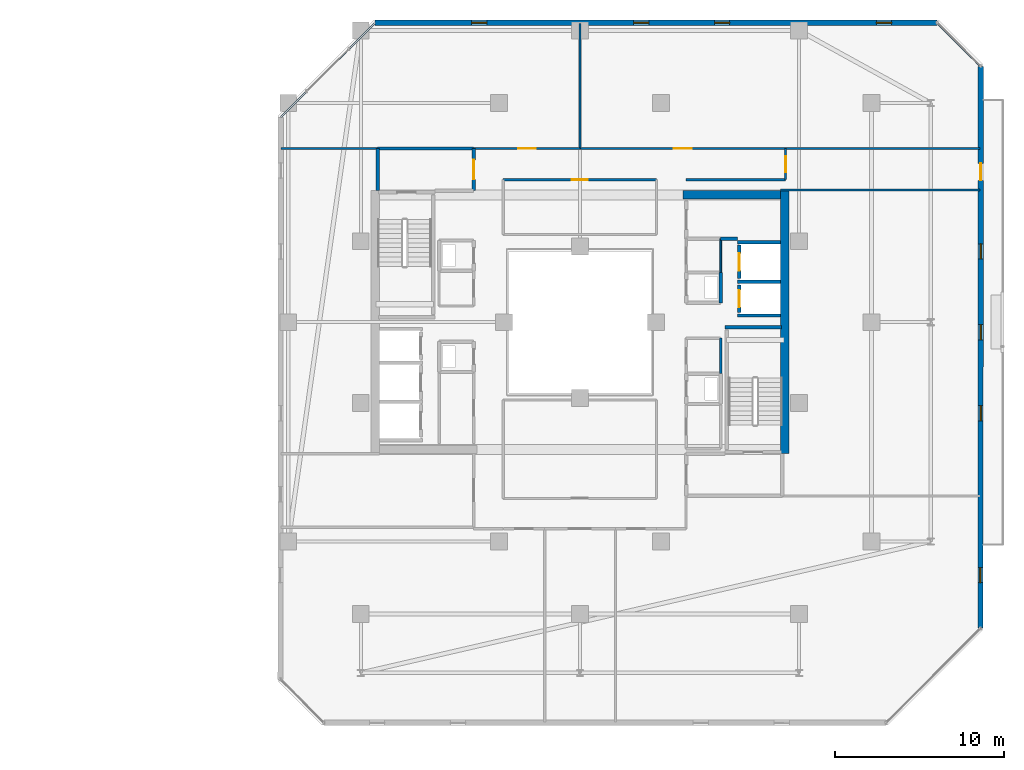
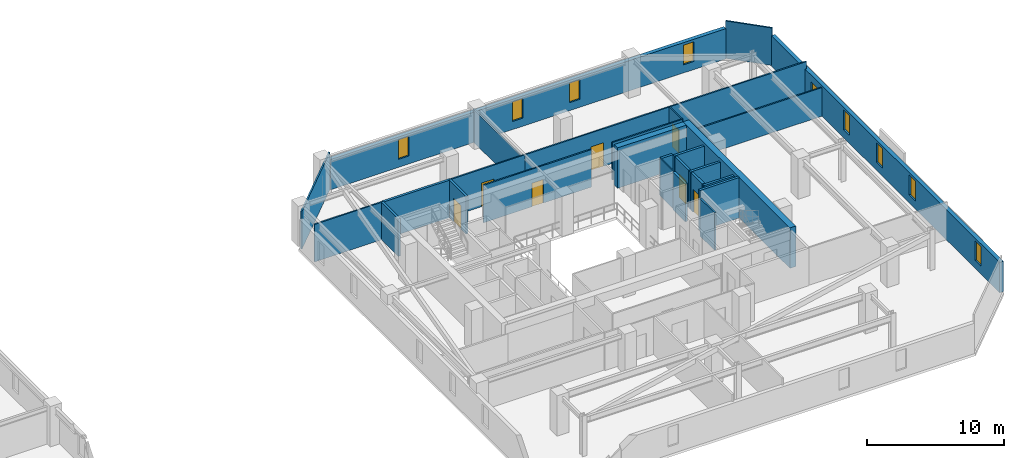
# One storey, part 24 of 31: 28 walls, 8 doors, 8 windows, 16 openings.
"""IFC4 building model written with IfcOpenShell, lengths in metres."""

from ifc_helpers import new_model, si_unit, direction, frame, frame_2d, origin, place, context, subcontext, project, spatial, rectangle, extrude, material, layer, layer_set, type_object, element, fill, save


model = new_model("IFC4")

# Units and contexts
model_context = context("Model", 3, precision=1e-05, world=origin(), true_north=direction((0.0, 1.0)))
body_context = subcontext(model_context, "Body", "Model", "MODEL_VIEW")
ifc_project = project(units=[si_unit("LENGTHUNIT", "METRE"), si_unit("AREAUNIT", "SQUARE_METRE"), si_unit("VOLUMEUNIT", "CUBIC_METRE"), si_unit("PLANEANGLEUNIT", "RADIAN"), si_unit("MASSUNIT", "GRAM", prefix="KILO")], contexts=[model_context])

# Site, building, storey
site_placement = place(None, origin())
site = spatial("IfcSite", under=ifc_project, at=site_placement, CompositionType="ELEMENT")
building_placement = place(site_placement, origin())
building = spatial("IfcBuilding", under=site, at=building_placement, Name="Thornwick Lancets Civic Towers", CompositionType="ELEMENT")
storey_placement = place(building_placement, frame((0.0, 0.0, 236.699951171875)))
storey = spatial("IfcBuildingStorey", under=building, at=storey_placement, Name="L63", CompositionType="ELEMENT", Elevation=236.699951171875)

# Wall, opening, door
ifc_material_1 = material(Name="Concrete blockwork C40/50", Category="masonry")
ifc_layer_1 = layer(ifc_material_1, 0.199951171875, Name="Concrete blockwork C40/50")
ifc_layer_set_1 = layer_set([ifc_layer_1], Name="Concrete blockwork C40/50")
wall_type_1 = type_object("IfcWallType", Name="WALL_COMP_200", PredefinedType="STANDARD", material=ifc_layer_set_1)
wall_1_placement = place(storey_placement, frame((97.949951171875, 29.219970703125, 0.0), z_axis=(0.0, 0.0, 1.0), x_axis=(0.0, -1.0, 0.0)))
wall_1 = element("IfcWall", 1, at=wall_1_placement, inside=storey, type_object=wall_type_1, Name="L63 Hoistway Front Wall FL-B1", PredefinedType="STANDARD", context=body_context, shape_type="SweptSolid", body=[
    extrude(rectangle(XDim=1.639892578125, YDim=0.199951171875, at=frame_2d((0.81982421875, 0.0))), origin(), (0.0, 0.0, 1.0), 3.340087890625),
])
opening_1_placement = place(wall_1_placement, frame((0.31005859375, 0.0, 0.0)))
opening_1 = element("IfcOpeningElement", 2, at=opening_1_placement, cuts=wall_1, Name="Opening LD-FL-B1", PredefinedType="OPENING", context=body_context, shape_type="SweptSolid", body=[
    extrude(rectangle(XDim=1.02001953125, YDim=2.06005859375, at=frame_2d((0.510009765625, 1.030029296875))), frame((0.0, 0.10986328125, 0.0), z_axis=(0.0, -1.0, 0.0), x_axis=(1.0, 0.0, 0.0)), (0.0, 0.0, 1.0), 0.219970703125),
])
ifc_material_2 = material(Name="Brushed bronze stainless steel", Category="steel")
door_type_1 = type_object("IfcDoorType", Name="DOOR_LIFT_SLIDE", OperationType="SLIDING_TO_LEFT", PredefinedType="DOOR", material=ifc_material_2)
door_1_placement = place(opening_1_placement, origin())
door_1 = element("IfcDoor", 3, at=door_1_placement, inside=storey, type_object=door_type_1, Name="L63 Sliding Lift Landing Door LD-FL-B1", OperationType="SLIDING_TO_LEFT", OverallHeight=2.06005859375, OverallWidth=1.02001953125, PredefinedType="DOOR", context=body_context, shape_type="SweptSolid", body=[
    extrude(rectangle(XDim=1.02001953125, YDim=2.06005859375, at=frame_2d((0.510009765625, 1.030029296875))), frame((0.0, 0.02490234375, 0.0), z_axis=(0.0, -1.0, 0.0), x_axis=(1.0, 0.0, 0.0)), (0.0, 0.0, 1.0), 0.050048828125),
])
fill(opening_1, door_1)

wall_2_placement = place(storey_placement, frame((97.949951171875, 31.570068359375, 0.0), z_axis=(0.0, 0.0, 1.0), x_axis=(0.0, -1.0, 0.0)))
wall_2 = element("IfcWall", 4, at=wall_2_placement, inside=storey, type_object=wall_type_1, Name="L63 Hoistway Front Wall PL-BH1", PredefinedType="STANDARD", context=body_context, shape_type="SweptSolid", body=[
    extrude(rectangle(XDim=1.989990234375, YDim=0.199951171875, at=frame_2d((0.9951171875, 0.0))), origin(), (0.0, 0.0, 1.0), 3.340087890625),
])
opening_2_placement = place(wall_2_placement, frame((0.485107421875, 0.0, 0.0)))
opening_2 = element("IfcOpeningElement", 5, at=opening_2_placement, cuts=wall_2, Name="Opening LD-PL-BH1", PredefinedType="OPENING", context=body_context, shape_type="SweptSolid", body=[
    extrude(rectangle(XDim=1.02001953125, YDim=2.06005859375, at=frame_2d((0.510009765625, 1.030029296875))), frame((0.0, 0.10986328125, 0.0), z_axis=(0.0, -1.0, 0.0), x_axis=(1.0, 0.0, 0.0)), (0.0, 0.0, 1.0), 0.219970703125),
])
door_2_placement = place(opening_2_placement, origin())
door_2 = element("IfcDoor", 6, at=door_2_placement, inside=storey, type_object=door_type_1, Name="L63 Sliding Lift Landing Door LD-PL-BH1", OperationType="SLIDING_TO_LEFT", OverallHeight=2.06005859375, OverallWidth=1.02001953125, PredefinedType="DOOR", context=body_context, shape_type="SweptSolid", body=[
    extrude(rectangle(XDim=1.02001953125, YDim=2.06005859375, at=frame_2d((0.510009765625, 1.030029296875))), frame((0.0, 0.02490234375, 0.0), z_axis=(0.0, -1.0, 0.0), x_axis=(1.0, 0.0, 0.0)), (0.0, 0.0, 1.0), 0.050048828125),
])
fill(opening_2, door_2)

# Walls
for number, where, z_axis, x_axis, name in (
    (7, (97.85205078125, 29.39990234375, 0.0), (0.0, 0.0, 1.0), (1.0, 0.0, 0.0), "L63 Hoistway Shaft Wall FL-B1 N"),
    (8, (97.85205078125, 27.39990234375, 0.0), (0.0, 0.0, 1.0), (1.0, 0.0, 0.0), "L63 Hoistway Shaft Wall FL-B1 S"),
    (9, (97.85205078125, 31.75, 0.0), (0.0, 0.0, 1.0), (1.0, 0.0, 0.0), "L63 Hoistway Shaft Wall PL-BH1 N"),
):
    element("IfcWall", number, at=place(storey_placement, frame(where, z_axis=z_axis, x_axis=x_axis)), inside=storey, type_object=wall_type_1, Name=name, PredefinedType="STANDARD", context=body_context, shape_type="SweptSolid", body=[
        extrude(rectangle(XDim=2.535888671875, YDim=0.199951171875, at=frame_2d((1.26806640625, 0.0))), origin(), (0.0, 0.0, 1.0), 3.340087890625),
    ])

# Wall, opening, door
wall_3_placement = place(storey_placement, frame((82.199951171875, 34.800048828125, 0.0), z_axis=(0.0, 0.0, 1.0), x_axis=(0.0, 1.0, 0.0)))
wall_3 = element("IfcWall", 10, at=wall_3_placement, inside=storey, type_object=wall_type_1, Name="L63 Partition L63-B-FFLOB2 E2", PredefinedType="STANDARD", context=body_context, shape_type="SweptSolid", body=[
    extrude(rectangle(XDim=2.5, YDim=0.199951171875, at=frame_2d((1.25, 0.0))), origin(), (0.0, 0.0, 1.0), 3.340087890625),
])
opening_3_placement = place(wall_3_placement, frame((0.675048828125, 0.0, 0.0)))
opening_3 = element("IfcOpeningElement", 11, at=opening_3_placement, cuts=wall_3, Name="Opening D-L63-2840", PredefinedType="OPENING", context=body_context, shape_type="SweptSolid", body=[
    extrude(rectangle(XDim=1.14990234375, YDim=2.10009765625, at=frame_2d((0.574951171875, 1.050048828125))), frame((0.0, 0.10986328125, 0.0), z_axis=(0.0, -1.0, 0.0), x_axis=(1.0, 0.0, 0.0)), (0.0, 0.0, 1.0), 0.219970703125),
])
ifc_material_3 = material(Name="Glazed fire-resisting steel", Category="steel")
door_type_2 = type_object("IfcDoorType", Name="DOOR_LOBBY_FD60", OperationType="NOTDEFINED", PredefinedType="DOOR", material=ifc_material_3)
door_3_placement = place(opening_3_placement, origin())
door_3 = element("IfcDoor", 12, at=door_3_placement, inside=storey, type_object=door_type_2, Name="L63 West Firefighting Lobby 2 Door", OperationType="SINGLE_SWING_LEFT", OverallHeight=2.10009765625, OverallWidth=1.14990234375, PredefinedType="DOOR", context=body_context, shape_type="SweptSolid", body=[
    extrude(rectangle(XDim=1.14990234375, YDim=2.10009765625, at=frame_2d((0.574951171875, 1.050048828125))), frame((0.0, 0.02490234375, 0.0), z_axis=(0.0, -1.0, 0.0), x_axis=(1.0, 0.0, 0.0)), (0.0, 0.0, 1.0), 0.050048828125),
])
fill(opening_3, door_3)

# Walls
wall_4_placement = place(storey_placement, frame((82.199951171875, 37.300048828125, 0.0), z_axis=(0.0, 0.0, 1.0), x_axis=(-1.0, 0.0, 0.0)))
element("IfcWall", 13, at=wall_4_placement, inside=storey, type_object=wall_type_1, Name="L63 Partition L63-B-FFLOB2 E3", PredefinedType="STANDARD", context=body_context, shape_type="SweptSolid", body=[
    extrude(rectangle(XDim=5.699951171875, YDim=0.199951171875, at=frame_2d((2.85009765625, 0.0))), origin(), (0.0, 0.0, 1.0), 3.340087890625),
])
wall_5_placement = place(storey_placement, frame((76.5, 37.300048828125, 0.0), z_axis=(0.0, 0.0, 1.0), x_axis=(0.0, -1.0, 0.0)))
element("IfcWall", 14, at=wall_5_placement, inside=storey, type_object=wall_type_1, Name="L63 Partition L63-B-FFLOB2 E4", PredefinedType="STANDARD", context=body_context, shape_type="SweptSolid", body=[
    extrude(rectangle(XDim=2.5, YDim=0.199951171875, at=frame_2d((1.25, 0.0))), origin(), (0.0, 0.0, 1.0), 3.340087890625),
])
wall_6_placement = place(storey_placement, frame((96.85009765625, 28.14990234375, 0.0), z_axis=(0.0, 0.0, 1.0), x_axis=(0.0, 1.0, 0.0)))
element("IfcWall", 15, at=wall_6_placement, inside=storey, type_object=wall_type_1, Name="L63 Partition L63-B-DUCT1 E2", PredefinedType="STANDARD", context=body_context, shape_type="SweptSolid", body=[
    extrude(rectangle(XDim=1.800048828125, YDim=0.199951171875, at=frame_2d((0.89990234375, 0.0))), origin(), (0.0, 0.0, 1.0), 3.340087890625),
])
wall_7_placement = place(storey_placement, frame((97.85205078125, 31.949951171875, 0.0), z_axis=(0.0, 0.0, 1.0), x_axis=(-1.0, 0.0, 0.0)))
element("IfcWall", 16, at=wall_7_placement, inside=storey, type_object=wall_type_1, Name="L63 Partition L63-B-ITR2 E4", PredefinedType="STANDARD", context=body_context, shape_type="SweptSolid", body=[
    extrude(rectangle(XDim=1.001953125, YDim=0.199951171875, at=frame_2d((0.5009765625, 0.0))), origin(), (0.0, 0.0, 1.0), 3.340087890625),
])
ifc_material_4 = material(Name="Concrete C50/60", Category="concrete")
ifc_layer_2 = layer(ifc_material_4, 0.5, Name="Concrete C50/60")
ifc_layer_set_2 = layer_set([ifc_layer_2], Name="Concrete C50/60")
wall_type_2 = type_object("IfcWallType", Name="WALL_CORE_500", PredefinedType="SHEAR", material=ifc_layer_set_2)
wall_8_placement = place(storey_placement, frame((100.64990234375, 19.199951171875, 0.0), z_axis=(0.0, 0.0, 1.0), x_axis=(0.0, 1.0, 0.0)))
element("IfcWall", 17, at=wall_8_placement, inside=storey, type_object=wall_type_2, Name="L63 Split Core B1 Shear Wall E", PredefinedType="SHEAR", context=body_context, shape_type="SweptSolid", body=[
    extrude(rectangle(XDim=15.60009765625, YDim=0.5, at=frame_2d((7.800048828125, 0.0))), origin(), (0.0, 0.0, 1.0), 3.60009765625),
])
wall_9_placement = place(storey_placement, frame((94.60009765625, 34.550048828125, 0.0), z_axis=(0.0, 0.0, 1.0), x_axis=(1.0, 0.0, 0.0)))
element("IfcWall", 18, at=wall_9_placement, inside=storey, type_object=wall_type_2, Name="L63 Split Core B1 Shear Wall N", PredefinedType="SHEAR", context=body_context, shape_type="SweptSolid", body=[
    extrude(rectangle(XDim=5.7998046875, YDim=0.5, at=frame_2d((2.89990234375, 0.0))), origin(), (0.0, 0.0, 1.0), 3.60009765625),
])

# Wall, openings, door, windows
ifc_material_5 = material(Name="Insulated buff terracotta rainscreen on concrete C40/50", Category="masonry")
ifc_layer_3 = layer(ifc_material_5, 0.320068359375, Name="Insulated buff terracotta rainscreen on concrete C40/50")
ifc_layer_set_3 = layer_set([ifc_layer_3], Name="Insulated buff terracotta rainscreen on concrete C40/50")
wall_type_3 = type_object("IfcWallType", Name="WALL_EXT_TERRA_320", PredefinedType="STANDARD", material=ifc_layer_set_3)
wall_10_placement = place(storey_placement, frame((112.254638671875, 8.85205078125, 0.0), z_axis=(0.0, 0.0, 1.0), x_axis=(0.000300328883, 0.999999954901, 0.0)))
wall_10 = element("IfcWall", 19, at=wall_10_placement, inside=storey, type_object=wall_type_3, Name="L63 Tower B Terracotta Facade Wall E2", PredefinedType="STANDARD", context=body_context, shape_type="SweptSolid", body=[
    extrude(rectangle(XDim=33.329345703125, YDim=0.320068359375, at=frame_2d((16.66455078125, 0.0))), origin(), (0.0, 0.0, 1.0), 2.699951171875),
])
opening_4_placement = place(wall_10_placement, frame((26.564697265625, 0.0, 0.0)))
opening_4 = element("IfcOpeningElement", 20, at=opening_4_placement, cuts=wall_10, Name="Opening D-BL-L63-BE", PredefinedType="OPENING", context=body_context, shape_type="SweptSolid", body=[
    extrude(rectangle(XDim=1.0, YDim=2.080078125, at=frame_2d((0.5, 1.0400390625))), frame((0.0, 0.169921875, 0.0), z_axis=(0.0, -1.0, 0.0), x_axis=(1.0, 0.0, 0.0)), (0.0, 0.0, 1.0), 0.340087890625),
])
opening_5_placement = place(wall_10_placement, frame((2.699951171875, 0.0, 0.719970703125)))
opening_5 = element("IfcOpeningElement", 21, at=opening_5_placement, cuts=wall_10, Name="Opening WL-01", PredefinedType="OPENING", context=body_context, shape_type="SweptSolid", body=[
    extrude(rectangle(XDim=0.89990234375, YDim=1.75, at=frame_2d((0.449951171875, 0.875))), frame((0.0, 0.169921875, 0.0), z_axis=(0.0, -1.0, 0.0), x_axis=(1.0, 0.0, 0.0)), (0.0, 0.0, 1.0), 0.340087890625),
])
opening_6_placement = place(wall_10_placement, frame((12.300048828125, 0.0, 0.719970703125)))
opening_6 = element("IfcOpeningElement", 22, at=opening_6_placement, cuts=wall_10, Name="Opening WL-01", PredefinedType="OPENING", context=body_context, shape_type="SweptSolid", body=[
    extrude(rectangle(XDim=0.89990234375, YDim=1.75, at=frame_2d((0.449951171875, 0.875))), frame((0.0, 0.169921875, 0.0), z_axis=(0.0, -1.0, 0.0), x_axis=(1.0, 0.0, 0.0)), (0.0, 0.0, 1.0), 0.340087890625),
])
opening_7_placement = place(wall_10_placement, frame((17.10009765625, 0.0, 0.719970703125)))
opening_7 = element("IfcOpeningElement", 23, at=opening_7_placement, cuts=wall_10, Name="Opening WL-01", PredefinedType="OPENING", context=body_context, shape_type="SweptSolid", body=[
    extrude(rectangle(XDim=0.89990234375, YDim=1.75, at=frame_2d((0.449951171875, 0.875))), frame((0.0, 0.169921875, 0.0), z_axis=(0.0, -1.0, 0.0), x_axis=(1.0, 0.0, 0.0)), (0.0, 0.0, 1.0), 0.340087890625),
])
opening_8_placement = place(wall_10_placement, frame((21.89990234375, 0.0, 0.719970703125)))
opening_8 = element("IfcOpeningElement", 24, at=opening_8_placement, cuts=wall_10, Name="Opening WL-01", PredefinedType="OPENING", context=body_context, shape_type="SweptSolid", body=[
    extrude(rectangle(XDim=0.89990234375, YDim=1.75, at=frame_2d((0.449951171875, 0.875))), frame((0.0, 0.169921875, 0.0), z_axis=(0.0, -1.0, 0.0), x_axis=(1.0, 0.0, 0.0)), (0.0, 0.0, 1.0), 0.340087890625),
])
ifc_material_6 = material(Name="Thermally broken glazed loggia doorset")
door_type_3 = type_object("IfcDoorType", Name="DOOR_BALC_1000", OperationType="NOTDEFINED", PredefinedType="DOOR", material=ifc_material_6)
door_4_placement = place(opening_4_placement, origin())
door_4 = element("IfcDoor", 25, at=door_4_placement, inside=storey, type_object=door_type_3, Name="L63 Tower B Loggia Balcony Door E", OperationType="SINGLE_SWING_RIGHT", OverallHeight=2.080078125, OverallWidth=1.0, PredefinedType="DOOR", context=body_context, shape_type="SweptSolid", body=[
    extrude(rectangle(XDim=1.0, YDim=2.080078125, at=frame_2d((0.5, 1.0400390625))), frame((0.0, 0.02490234375, 0.0), z_axis=(0.0, -1.0, 0.0), x_axis=(1.0, 0.0, 0.0)), (0.0, 0.0, 1.0), 0.050048828125),
])
fill(opening_4, door_4)
ifc_material_7 = material(Name="Clear low-e double glazing in bronze frame", Category="glass")
window_type = type_object("IfcWindowType", Name="WIN_LANCET_900", PartitioningType="SINGLE_PANEL", PredefinedType="WINDOW", material=ifc_material_7)
window_1_placement = place(opening_5_placement, origin())
window_1 = element("IfcWindow", 26, at=window_1_placement, inside=storey, type_object=window_type, Name="L63 Tower B Staggered Lancet Window E2-1", OverallHeight=1.75, OverallWidth=0.89990234375, PartitioningType="SINGLE_PANEL", PredefinedType="WINDOW", context=body_context, shape_type="SweptSolid", body=[
    extrude(rectangle(XDim=0.89990234375, YDim=1.75, at=frame_2d((0.449951171875, 0.875))), frame((0.0, 0.030029296875, 0.0), z_axis=(0.0, -1.0, 0.0), x_axis=(1.0, 0.0, 0.0)), (0.0, 0.0, 1.0), 0.06005859375),
])
fill(opening_5, window_1)
window_2_placement = place(opening_6_placement, origin())
window_2 = element("IfcWindow", 27, at=window_2_placement, inside=storey, type_object=window_type, Name="L63 Tower B Staggered Lancet Window E2-2", OverallHeight=1.75, OverallWidth=0.89990234375, PartitioningType="SINGLE_PANEL", PredefinedType="WINDOW", context=body_context, shape_type="SweptSolid", body=[
    extrude(rectangle(XDim=0.89990234375, YDim=1.75, at=frame_2d((0.449951171875, 0.875))), frame((0.0, 0.030029296875, 0.0), z_axis=(0.0, -1.0, 0.0), x_axis=(1.0, 0.0, 0.0)), (0.0, 0.0, 1.0), 0.06005859375),
])
fill(opening_6, window_2)
window_3_placement = place(opening_7_placement, origin())
window_3 = element("IfcWindow", 28, at=window_3_placement, inside=storey, type_object=window_type, Name="L63 Tower B Staggered Lancet Window E2-3", OverallHeight=1.75, OverallWidth=0.89990234375, PartitioningType="SINGLE_PANEL", PredefinedType="WINDOW", context=body_context, shape_type="SweptSolid", body=[
    extrude(rectangle(XDim=0.89990234375, YDim=1.75, at=frame_2d((0.449951171875, 0.875))), frame((0.0, 0.030029296875, 0.0), z_axis=(0.0, -1.0, 0.0), x_axis=(1.0, 0.0, 0.0)), (0.0, 0.0, 1.0), 0.06005859375),
])
fill(opening_7, window_3)
window_4_placement = place(opening_8_placement, origin())
window_4 = element("IfcWindow", 29, at=window_4_placement, inside=storey, type_object=window_type, Name="L63 Tower B Staggered Lancet Window E2-4", OverallHeight=1.75, OverallWidth=0.89990234375, PartitioningType="SINGLE_PANEL", PredefinedType="WINDOW", context=body_context, shape_type="SweptSolid", body=[
    extrude(rectangle(XDim=0.89990234375, YDim=1.75, at=frame_2d((0.449951171875, 0.875))), frame((0.0, 0.030029296875, 0.0), z_axis=(0.0, -1.0, 0.0), x_axis=(1.0, 0.0, 0.0)), (0.0, 0.0, 1.0), 0.06005859375),
])
fill(opening_8, window_4)

# Wall, openings, windows
wall_11_placement = place(storey_placement, frame((109.681396484375, 44.7646484375, 0.0), z_axis=(0.0, 0.0, 1.0), x_axis=(-0.999999954901, -0.000300328883, 0.0)))
wall_11 = element("IfcWall", 30, at=wall_11_placement, inside=storey, type_object=wall_type_3, Name="L63 Tower B Terracotta Facade Wall E4", PredefinedType="STANDARD", context=body_context, shape_type="SweptSolid", body=[
    extrude(rectangle(XDim=33.329345703125, YDim=0.320068359375, at=frame_2d((16.66455078125, 0.0))), origin(), (0.0, 0.0, 1.0), 2.699951171875),
])
opening_9_placement = place(wall_11_placement, frame((2.699951171875, 0.0, 0.719970703125)))
opening_9 = element("IfcOpeningElement", 31, at=opening_9_placement, cuts=wall_11, Name="Opening WL-01", PredefinedType="OPENING", context=body_context, shape_type="SweptSolid", body=[
    extrude(rectangle(XDim=0.89990234375, YDim=1.75, at=frame_2d((0.449951171875, 0.875))), frame((0.0, 0.169921875, 0.0), z_axis=(0.0, -1.0, 0.0), x_axis=(1.0, 0.0, 0.0)), (0.0, 0.0, 1.0), 0.340087890625),
])
opening_10_placement = place(wall_11_placement, frame((12.300048828125, 0.0, 0.719970703125)))
opening_10 = element("IfcOpeningElement", 32, at=opening_10_placement, cuts=wall_11, Name="Opening WL-01", PredefinedType="OPENING", context=body_context, shape_type="SweptSolid", body=[
    extrude(rectangle(XDim=0.89990234375, YDim=1.75, at=frame_2d((0.449951171875, 0.875))), frame((0.0, 0.169921875, 0.0), z_axis=(0.0, -1.0, 0.0), x_axis=(1.0, 0.0, 0.0)), (0.0, 0.0, 1.0), 0.340087890625),
])
opening_11_placement = place(wall_11_placement, frame((17.10009765625, 0.0, 0.719970703125)))
opening_11 = element("IfcOpeningElement", 33, at=opening_11_placement, cuts=wall_11, Name="Opening WL-01", PredefinedType="OPENING", context=body_context, shape_type="SweptSolid", body=[
    extrude(rectangle(XDim=0.89990234375, YDim=1.75, at=frame_2d((0.449951171875, 0.875))), frame((0.0, 0.169921875, 0.0), z_axis=(0.0, -1.0, 0.0), x_axis=(1.0, 0.0, 0.0)), (0.0, 0.0, 1.0), 0.340087890625),
])
opening_12_placement = place(wall_11_placement, frame((26.699951171875, 0.0, 0.719970703125)))
opening_12 = element("IfcOpeningElement", 34, at=opening_12_placement, cuts=wall_11, Name="Opening WL-01", PredefinedType="OPENING", context=body_context, shape_type="SweptSolid", body=[
    extrude(rectangle(XDim=0.89990234375, YDim=1.75, at=frame_2d((0.449951171875, 0.875))), frame((0.0, 0.169921875, 0.0), z_axis=(0.0, -1.0, 0.0), x_axis=(1.0, 0.0, 0.0)), (0.0, 0.0, 1.0), 0.340087890625),
])
window_5_placement = place(opening_9_placement, origin())
window_5 = element("IfcWindow", 35, at=window_5_placement, inside=storey, type_object=window_type, Name="L63 Tower B Staggered Lancet Window E4-1", OverallHeight=1.75, OverallWidth=0.89990234375, PartitioningType="SINGLE_PANEL", PredefinedType="WINDOW", context=body_context, shape_type="SweptSolid", body=[
    extrude(rectangle(XDim=0.89990234375, YDim=1.75, at=frame_2d((0.449951171875, 0.875))), frame((0.0, 0.030029296875, 0.0), z_axis=(0.0, -1.0, 0.0), x_axis=(1.0, 0.0, 0.0)), (0.0, 0.0, 1.0), 0.06005859375),
])
fill(opening_9, window_5)
window_6_placement = place(opening_10_placement, origin())
window_6 = element("IfcWindow", 36, at=window_6_placement, inside=storey, type_object=window_type, Name="L63 Tower B Staggered Lancet Window E4-2", OverallHeight=1.75, OverallWidth=0.89990234375, PartitioningType="SINGLE_PANEL", PredefinedType="WINDOW", context=body_context, shape_type="SweptSolid", body=[
    extrude(rectangle(XDim=0.89990234375, YDim=1.75, at=frame_2d((0.449951171875, 0.875))), frame((0.0, 0.030029296875, 0.0), z_axis=(0.0, -1.0, 0.0), x_axis=(1.0, 0.0, 0.0)), (0.0, 0.0, 1.0), 0.06005859375),
])
fill(opening_10, window_6)
window_7_placement = place(opening_11_placement, origin())
window_7 = element("IfcWindow", 37, at=window_7_placement, inside=storey, type_object=window_type, Name="L63 Tower B Staggered Lancet Window E4-3", OverallHeight=1.75, OverallWidth=0.89990234375, PartitioningType="SINGLE_PANEL", PredefinedType="WINDOW", context=body_context, shape_type="SweptSolid", body=[
    extrude(rectangle(XDim=0.89990234375, YDim=1.75, at=frame_2d((0.449951171875, 0.875))), frame((0.0, 0.030029296875, 0.0), z_axis=(0.0, -1.0, 0.0), x_axis=(1.0, 0.0, 0.0)), (0.0, 0.0, 1.0), 0.06005859375),
])
fill(opening_11, window_7)
window_8_placement = place(opening_12_placement, origin())
window_8 = element("IfcWindow", 38, at=window_8_placement, inside=storey, type_object=window_type, Name="L63 Tower B Staggered Lancet Window E4-4", OverallHeight=1.75, OverallWidth=0.89990234375, PartitioningType="SINGLE_PANEL", PredefinedType="WINDOW", context=body_context, shape_type="SweptSolid", body=[
    extrude(rectangle(XDim=0.89990234375, YDim=1.75, at=frame_2d((0.449951171875, 0.875))), frame((0.0, 0.030029296875, 0.0), z_axis=(0.0, -1.0, 0.0), x_axis=(1.0, 0.0, 0.0)), (0.0, 0.0, 1.0), 0.06005859375),
])
fill(opening_12, window_8)

# Walls
ifc_material_8 = material(Name="Lightweight cellular office partition")
ifc_layer_4 = layer(ifc_material_8, 0.10009765625, Name="Lightweight cellular office partition")
ifc_layer_set_4 = layer_set([ifc_layer_4], Name="Lightweight cellular office partition")
wall_type_4 = type_object("IfcWallType", Name="WALL_PART_100", PredefinedType="PARTITIONING", material=ifc_layer_set_4)
wall_12_placement = place(storey_placement, frame((96.85009765625, 31.949951171875, 0.0), z_axis=(0.0, 0.0, 1.0), x_axis=(0.0, -1.0, 0.0)))
element("IfcWall", 39, at=wall_12_placement, inside=storey, type_object=wall_type_4, Name="L63 Partition L63-B-CLN E3", PredefinedType="PARTITIONING", context=body_context, shape_type="SweptSolid", body=[
    extrude(rectangle(XDim=2.0, YDim=0.10009765625, at=frame_2d((1.0, 0.0))), origin(), (0.0, 0.0, 1.0), 3.340087890625),
])
ifc_material_9 = material(Name="Acoustic gypsum board partition")
ifc_layer_5 = layer(ifc_material_9, 0.1201171875, Name="Acoustic gypsum board partition")
ifc_layer_set_5 = layer_set([ifc_layer_5], Name="Acoustic gypsum board partition")
wall_type_5 = type_object("IfcWallType", Name="WALL_PART_120", PredefinedType="PARTITIONING", material=ifc_layer_set_5)
wall_13_placement = place(storey_placement, frame((94.800048828125, 35.449951171875, 0.0), z_axis=(0.0, 0.0, 1.0), x_axis=(1.0, 0.0, 0.0)))
element("IfcWall", 40, at=wall_13_placement, inside=storey, type_object=wall_type_5, Name="L63 Partition L63-B-RECLAIM-L E2", PredefinedType="PARTITIONING", context=body_context, shape_type="SweptSolid", body=[
    extrude(rectangle(XDim=5.89990234375, YDim=0.1201171875, at=frame_2d((2.949951171875, 0.0))), origin(), (0.0, 0.0, 1.0), 3.340087890625),
])

# Wall, opening, door
wall_14_placement = place(storey_placement, frame((100.699951171875, 35.449951171875, 0.0), z_axis=(0.0, 0.0, 1.0), x_axis=(0.0, 1.0, 0.0)))
wall_14 = element("IfcWall", 41, at=wall_14_placement, inside=storey, type_object=wall_type_5, Name="L63 Partition L63-B-RECLAIM-L E3", PredefinedType="PARTITIONING", context=body_context, shape_type="SweptSolid", body=[
    extrude(rectangle(XDim=1.85009765625, YDim=0.1201171875, at=frame_2d((0.925048828125, 0.0))), origin(), (0.0, 0.0, 1.0), 3.340087890625),
])
opening_13_placement = place(wall_14_placement, frame((0.449951171875, 0.0, 0.0)))
opening_13 = element("IfcOpeningElement", 42, at=opening_13_placement, cuts=wall_14, Name="Opening D-L63-2860", PredefinedType="OPENING", context=body_context, shape_type="SweptSolid", body=[
    extrude(rectangle(XDim=0.949951171875, YDim=2.10009765625, at=frame_2d((0.47509765625, 1.050048828125))), frame((0.0, 0.070068359375, 0.0), z_axis=(0.0, -1.0, 0.0), x_axis=(1.0, 0.0, 0.0)), (0.0, 0.0, 1.0), 0.14013671875),
])
ifc_material_10 = material(Name="European oak acoustic doorset")
door_type_4 = type_object("IfcDoorType", Name="DOOR_OFFICE_950", OperationType="NOTDEFINED", PredefinedType="DOOR", material=ifc_material_10)
door_5_placement = place(opening_13_placement, origin())
door_5 = element("IfcDoor", 43, at=door_5_placement, inside=storey, type_object=door_type_4, Name="L63 Tower B Parliamentary Drafting Library Door", OperationType="SINGLE_SWING_LEFT", OverallHeight=2.10009765625, OverallWidth=0.949951171875, PredefinedType="DOOR", context=body_context, shape_type="SweptSolid", body=[
    extrude(rectangle(XDim=0.949951171875, YDim=2.10009765625, at=frame_2d((0.47509765625, 1.050048828125))), frame((0.0, 0.02490234375, 0.0), z_axis=(0.0, -1.0, 0.0), x_axis=(1.0, 0.0, 0.0)), (0.0, 0.0, 1.0), 0.050048828125),
])
fill(opening_13, door_5)

# Walls
wall_15_placement = place(storey_placement, frame((100.699951171875, 37.300048828125, 0.0), z_axis=(0.0, 0.0, 1.0), x_axis=(1.0, 0.0, 0.0)))
element("IfcWall", 44, at=wall_15_placement, inside=storey, type_object=wall_type_5, Name="L63 Partition L63-B-RECLAIM-L E4", PredefinedType="PARTITIONING", context=body_context, shape_type="SweptSolid", body=[
    extrude(rectangle(XDim=11.52001953125, YDim=0.1201171875, at=frame_2d((5.760009765625, 0.0))), origin(), (0.0, 0.0, 1.0), 3.340087890625),
])
wall_16_placement = place(storey_placement, frame((112.219970703125, 34.85009765625, 0.0), z_axis=(0.0, 0.0, 1.0), x_axis=(-1.0, 0.0, 0.0)))
element("IfcWall", 45, at=wall_16_placement, inside=storey, type_object=wall_type_5, Name="L63 Partition L63-B-RECLAIM-L E6", PredefinedType="PARTITIONING", context=body_context, shape_type="SweptSolid", body=[
    extrude(rectangle(XDim=11.820068359375, YDim=0.1201171875, at=frame_2d((5.91015625, 0.0))), origin(), (0.0, 0.0, 1.0), 2.545166015625),
])

# Wall, opening, door
wall_17_placement = place(storey_placement, frame((100.699951171875, 37.300048828125, 0.0), z_axis=(0.0, 0.0, 1.0), x_axis=(-1.0, 0.0, 0.0)))
wall_17 = element("IfcWall", 46, at=wall_17_placement, inside=storey, type_object=wall_type_5, Name="L63 Partition L63-B-E1 E1", PredefinedType="PARTITIONING", context=body_context, shape_type="SweptSolid", body=[
    extrude(rectangle(XDim=12.199951171875, YDim=0.1201171875, at=frame_2d((6.10009765625, 0.0))), origin(), (0.0, 0.0, 1.0), 3.340087890625),
])
opening_14_placement = place(wall_17_placement, frame((5.574951171875, 0.0, 0.0)))
opening_14 = element("IfcOpeningElement", 47, at=opening_14_placement, cuts=wall_17, Name="Opening D-L63-2866", PredefinedType="OPENING", context=body_context, shape_type="SweptSolid", body=[
    extrude(rectangle(XDim=1.050048828125, YDim=2.10009765625, at=frame_2d((0.52490234375, 1.050048828125))), frame((0.0, 0.070068359375, 0.0), z_axis=(0.0, -1.0, 0.0), x_axis=(1.0, 0.0, 0.0)), (0.0, 0.0, 1.0), 0.14013671875),
])
ifc_material_11 = material(Name="Glazed European oak executive doorset")
door_type_5 = type_object("IfcDoorType", Name="DOOR_OFFICE_1050", OperationType="NOTDEFINED", PredefinedType="DOOR", material=ifc_material_11)
door_6_placement = place(opening_14_placement, origin())
door_6 = element("IfcDoor", 48, at=door_6_placement, inside=storey, type_object=door_type_5, Name="L63 Tower B Secretariat Open Office E1 Door", OperationType="SINGLE_SWING_LEFT", OverallHeight=2.10009765625, OverallWidth=1.050048828125, PredefinedType="DOOR", context=body_context, shape_type="SweptSolid", body=[
    extrude(rectangle(XDim=1.050048828125, YDim=2.10009765625, at=frame_2d((0.52490234375, 1.050048828125))), frame((0.0, 0.02490234375, 0.0), z_axis=(0.0, -1.0, 0.0), x_axis=(1.0, 0.0, 0.0)), (0.0, 0.0, 1.0), 0.050048828125),
])
fill(opening_14, door_6)

# Walls
wall_18_placement = place(storey_placement, frame((88.5, 37.300048828125, 0.0), z_axis=(0.0, 0.0, 1.0), x_axis=(0.0, 1.0, 0.0)))
element("IfcWall", 49, at=wall_18_placement, inside=storey, type_object=wall_type_5, Name="L63 Partition L63-B-E1 E2", PredefinedType="PARTITIONING", context=body_context, shape_type="SweptSolid", body=[
    extrude(rectangle(XDim=7.419921875, YDim=0.1201171875, at=frame_2d((3.7099609375, 0.0))), origin(), (0.0, 0.0, 1.0), 2.93212890625),
])
wall_19_placement = place(storey_placement, frame((109.725341796875, 44.719970703125, 0.0), z_axis=(0.0, 0.0, 1.0), x_axis=(0.707106781187, -0.707106781187, 0.0)))
element("IfcWall", 50, at=wall_19_placement, inside=storey, type_object=wall_type_5, Name="L63 Partition L63-B-E1 E4", PredefinedType="PARTITIONING", context=body_context, shape_type="SweptSolid", body=[
    extrude(rectangle(XDim=3.52783203125, YDim=0.1201171875, at=frame_2d((1.763916015625, 0.0))), origin(), (0.0, 0.0, 1.0), 3.340087890625),
])
wall_20_placement = place(storey_placement, frame((76.5, 37.300048828125, 0.0), z_axis=(0.0, 0.0, 1.0), x_axis=(-1.0, 0.0, 0.0)))
element("IfcWall", 51, at=wall_20_placement, inside=storey, type_object=wall_type_5, Name="L63 Partition L63-B-E2 E2", PredefinedType="PARTITIONING", context=body_context, shape_type="SweptSolid", body=[
    extrude(rectangle(XDim=5.719970703125, YDim=0.1201171875, at=frame_2d((2.85986328125, 0.0))), origin(), (0.0, 0.0, 1.0), 3.340087890625),
])
wall_21_placement = place(storey_placement, frame((70.780029296875, 39.179443359375, 0.0), z_axis=(0.0, 0.0, 1.0), x_axis=(0.707106781187, 0.707106781187, 0.0)))
element("IfcWall", 52, at=wall_21_placement, inside=storey, type_object=wall_type_5, Name="L63 Partition L63-B-E2 E4", PredefinedType="PARTITIONING", context=body_context, shape_type="SweptSolid", body=[
    extrude(rectangle(XDim=7.83544921875, YDim=0.1201171875, at=frame_2d((3.917724609375, 0.0))), origin(), (0.0, 0.0, 1.0), 3.340087890625),
])

# Wall, opening, door
wall_22_placement = place(storey_placement, frame((88.5, 37.300048828125, 0.0), z_axis=(0.0, 0.0, 1.0), x_axis=(-1.0, 0.0, 0.0)))
wall_22 = element("IfcWall", 53, at=wall_22_placement, inside=storey, type_object=wall_type_5, Name="L63 Partition L63-B-E2 E7", PredefinedType="PARTITIONING", context=body_context, shape_type="SweptSolid", body=[
    extrude(rectangle(XDim=6.300048828125, YDim=0.1201171875, at=frame_2d((3.14990234375, 0.0))), origin(), (0.0, 0.0, 1.0), 3.340087890625),
])
opening_15_placement = place(wall_22_placement, frame((2.625, 0.0, 0.0)))
opening_15 = element("IfcOpeningElement", 54, at=opening_15_placement, cuts=wall_22, Name="Opening D-L63-2867", PredefinedType="OPENING", context=body_context, shape_type="SweptSolid", body=[
    extrude(rectangle(XDim=1.050048828125, YDim=2.10009765625, at=frame_2d((0.52490234375, 1.050048828125))), frame((0.0, 0.070068359375, 0.0), z_axis=(0.0, -1.0, 0.0), x_axis=(1.0, 0.0, 0.0)), (0.0, 0.0, 1.0), 0.14013671875),
])
door_7_placement = place(opening_15_placement, origin())
door_7 = element("IfcDoor", 55, at=door_7_placement, inside=storey, type_object=door_type_5, Name="L63 Tower B Visitors Reception and Waiting Door", OperationType="SINGLE_SWING_RIGHT", OverallHeight=2.10009765625, OverallWidth=1.050048828125, PredefinedType="DOOR", context=body_context, shape_type="SweptSolid", body=[
    extrude(rectangle(XDim=1.050048828125, YDim=2.10009765625, at=frame_2d((0.52490234375, 1.050048828125))), frame((0.0, 0.02490234375, 0.0), z_axis=(0.0, -1.0, 0.0), x_axis=(1.0, 0.0, 0.0)), (0.0, 0.0, 1.0), 0.050048828125),
])
fill(opening_15, door_7)

wall_23_placement = place(storey_placement, frame((83.949951171875, 35.449951171875, 0.0), z_axis=(0.0, 0.0, 1.0), x_axis=(1.0, 0.0, 0.0)))
wall_23 = element("IfcWall", 56, at=wall_23_placement, inside=storey, type_object=wall_type_5, Name="L63 Partition L63-B-E-ATRIUM-OFF E2", PredefinedType="PARTITIONING", context=body_context, shape_type="SweptSolid", body=[
    extrude(rectangle(XDim=9.10009765625, YDim=0.1201171875, at=frame_2d((4.550048828125, 0.0))), origin(), (0.0, 0.0, 1.0), 3.340087890625),
])
opening_16_placement = place(wall_23_placement, frame((4.074951171875, 0.0, 0.0)))
opening_16 = element("IfcOpeningElement", 57, at=opening_16_placement, cuts=wall_23, Name="Opening D-L63-2868", PredefinedType="OPENING", context=body_context, shape_type="SweptSolid", body=[
    extrude(rectangle(XDim=0.949951171875, YDim=2.10009765625, at=frame_2d((0.47509765625, 1.050048828125))), frame((0.0, 0.070068359375, 0.0), z_axis=(0.0, -1.0, 0.0), x_axis=(1.0, 0.0, 0.0)), (0.0, 0.0, 1.0), 0.14013671875),
])
door_8_placement = place(opening_16_placement, origin())
door_8 = element("IfcDoor", 58, at=door_8_placement, inside=storey, type_object=door_type_4, Name="L63 Tower B Atrium Policy Office Door", OperationType="SINGLE_SWING_LEFT", OverallHeight=2.10009765625, OverallWidth=0.949951171875, PredefinedType="DOOR", context=body_context, shape_type="SweptSolid", body=[
    extrude(rectangle(XDim=0.949951171875, YDim=2.10009765625, at=frame_2d((0.47509765625, 1.050048828125))), frame((0.0, 0.02490234375, 0.0), z_axis=(0.0, -1.0, 0.0), x_axis=(1.0, 0.0, 0.0)), (0.0, 0.0, 1.0), 0.050048828125),
])
fill(opening_16, door_8)

# Walls
ifc_material_12 = material(Name="Twin-stud acoustic gypsum board")
ifc_layer_6 = layer(ifc_material_12, 0.14990234375, Name="Twin-stud acoustic gypsum board")
ifc_layer_set_6 = layer_set([ifc_layer_6], Name="Twin-stud acoustic gypsum board")
wall_type_6 = type_object("IfcWallType", Name="WALL_PART_150", PredefinedType="PARTITIONING", material=ifc_layer_set_6)
wall_24_placement = place(storey_placement, frame((96.85009765625, 26.050048828125, 0.0), z_axis=(0.0, 0.0, 1.0), x_axis=(0.0, -1.0, 0.0)))
element("IfcWall", 59, at=wall_24_placement, inside=storey, type_object=wall_type_6, Name="L63 Partition L63-B-AWC E3", PredefinedType="PARTITIONING", context=body_context, shape_type="SweptSolid", body=[
    extrude(rectangle(XDim=2.10009765625, YDim=0.14990234375, at=frame_2d((1.050048828125, 0.0))), origin(), (0.0, 0.0, 1.0), 3.340087890625),
])
ifc_material_13 = material(Name="Concrete C40/50", Category="concrete")
ifc_layer_7 = layer(ifc_material_13, 0.199951171875, Name="Concrete C40/50")
ifc_layer_set_7 = layer_set([ifc_layer_7], Name="Concrete C40/50")
wall_type_7 = type_object("IfcWallType", Name="WALL_SHAFT_200", PredefinedType="SHEAR", material=ifc_layer_set_7)
wall_25_placement = place(storey_placement, frame((97.10009765625, 26.699951171875, 0.0), z_axis=(0.0, 0.0, 1.0), x_axis=(1.0, 0.0, 0.0)))
element("IfcWall", 60, at=wall_25_placement, inside=storey, type_object=wall_type_7, Name="L63 ST-B1 Fire Stair Core Wall FAR", PredefinedType="SHEAR", context=body_context, shape_type="SweptSolid", body=[
    extrude(rectangle(XDim=3.349853515625, YDim=0.199951171875, at=frame_2d((1.6748046875, 0.0))), origin(), (0.0, 0.0, 1.0), 3.60009765625),
])

save(model, "model.ifc")
